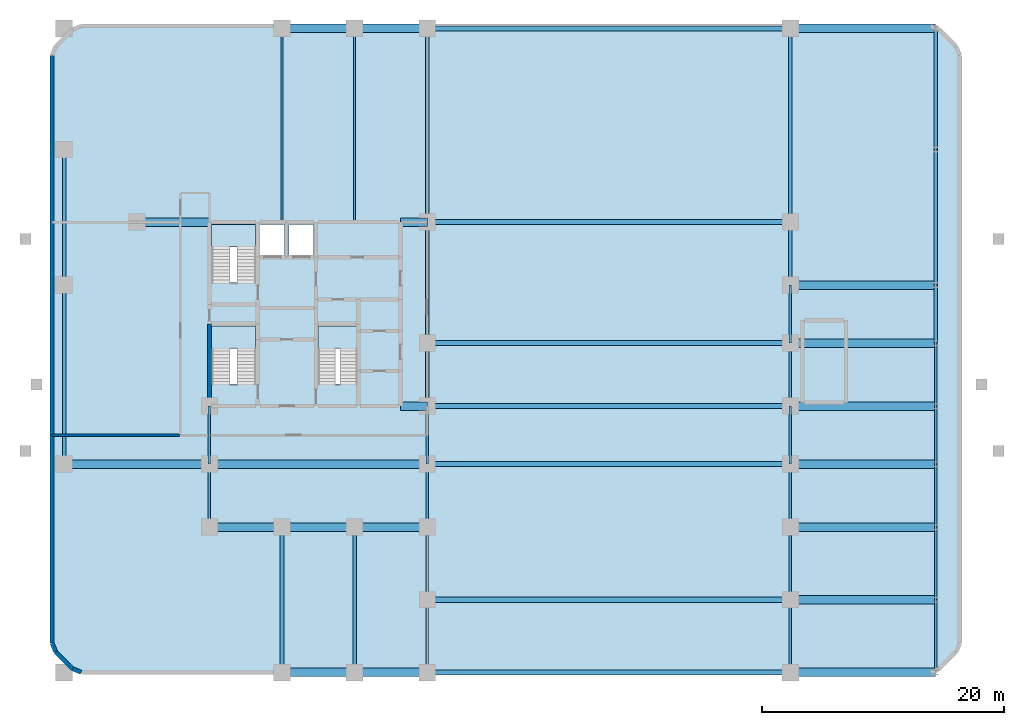
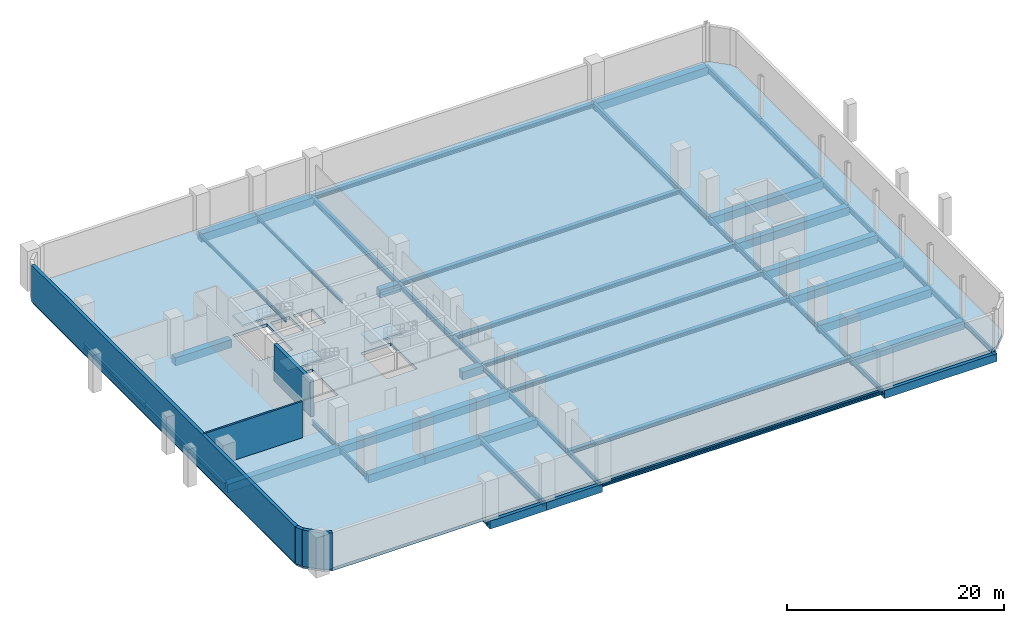
# One storey, part 3 of 7: 58 beams, 6 walls, 4 slabs, 3 elements without a shape of their own.
"""IFC4 building model written with IfcOpenShell, lengths in metres."""

import ifcopenshell
import ifcopenshell.guid

model = None  # the IFC model being written
_history = None  # IfcOwnerHistory: only IFC2X3 demands one
_inside = {}  # id of a spatial element -> (the spatial element, [elements in it])
_under = {}  # id of a project, library or spatial element -> (it, [spatial elements below it])
_declared = {}  # id of a project -> (the project, [libraries it declares])
_typed = {}  # id of a type object -> (the type object, [elements of that type])
_made_of = {}  # id of a material, layer set ... -> (it, [elements and type objects made of it])


def new_model(schema):
    """Start an empty IFC model of exactly this schema.

    Asked for "IFC4X3", IfcOpenShell would pick the latest addendum, in which some entities
    have other attributes; the version numbers below select the first issue.
    IFC2X3 requires an IfcOwnerHistory on every rooted entity: one is made here for all.
    """
    global model, _history
    if schema == "IFC4X3":
        model = ifcopenshell.file(schema_version=(4, 3, 0, 0))
    else:
        model = ifcopenshell.file(schema=schema)
    _inside.clear()
    _under.clear()
    _declared.clear()
    _typed.clear()
    _made_of.clear()
    _history = None
    if model.schema == "IFC2X3":
        org = make("IfcOrganization", Name="unknown")
        user = make(
            "IfcPersonAndOrganization",
            ThePerson=make("IfcPerson", FamilyName="unknown"),
            TheOrganization=org,
        )
        app = make(
            "IfcApplication",
            ApplicationDeveloper=org,
            Version="unknown",
            ApplicationFullName="unknown",
            ApplicationIdentifier="unknown",
        )
        _history = make(
            "IfcOwnerHistory",
            OwningUser=user,
            OwningApplication=app,
            ChangeAction="ADDED",
            CreationDate=0,
        )
    return model


def make(cls, **values):
    """One entity of the class cls with the attributes given. An attribute that is None is left unset."""
    return model.create_entity(
        cls, **{name: value for name, value in values.items() if value is not None}
    )


def rooted(cls, **values):
    """An entity with a GlobalId (a new one), such as an element, a storey or a relation."""
    return make(cls, GlobalId=ifcopenshell.guid.new(), OwnerHistory=_history, **values)


def si_unit(unit_type, name, prefix=None):
    """IfcSIUnit, for example si_unit("LENGTHUNIT", "METRE", prefix="MILLI")."""
    return make("IfcSIUnit", UnitType=unit_type, Prefix=prefix, Name=name)


def assignment(units):
    """IfcUnitAssignment: the units of a project."""
    return None if units is None else make("IfcUnitAssignment", Units=units)


def point(xyz):
    """IfcCartesianPoint."""
    return None if xyz is None else make("IfcCartesianPoint", Coordinates=xyz)


def direction(xyz):
    """IfcDirection."""
    return None if xyz is None else make("IfcDirection", DirectionRatios=xyz)


def frame(location, z_axis=None, x_axis=None):
    """IfcAxis2Placement3D, a coordinate frame: its origin and axes. An axis left out is left unset."""
    return make(
        "IfcAxis2Placement3D",
        Location=point(location),
        Axis=direction(z_axis),
        RefDirection=direction(x_axis),
    )


def frame_2d(location, x_axis=None):
    """IfcAxis2Placement2D, a coordinate frame in the plane: its origin and x axis."""
    return make(
        "IfcAxis2Placement2D", Location=point(location), RefDirection=direction(x_axis)
    )


def origin():
    """The frame at (0, 0, 0) with its axes left unset."""
    return frame((0.0, 0.0, 0.0))


def origin_2d():
    """The frame at (0, 0) in the plane with its x axis left unset."""
    return frame_2d((0.0, 0.0))


def place(relative_to, where):
    """IfcLocalPlacement: puts the frame where relative to a parent placement (None: the world)."""
    return make(
        "IfcLocalPlacement", PlacementRelTo=relative_to, RelativePlacement=where
    )


def context(
    kind, dimensions, precision=None, world=None, true_north=None, identifier=None
):
    """IfcGeometricRepresentationContext, for example the 3D "Model" context."""
    return make(
        "IfcGeometricRepresentationContext",
        ContextIdentifier=identifier,
        ContextType=kind,
        CoordinateSpaceDimension=dimensions,
        Precision=precision,
        WorldCoordinateSystem=world,
        TrueNorth=true_north,
    )


def subcontext(parent, identifier, kind, view, scale=None):
    """IfcGeometricRepresentationSubContext, for example "Body" below "Model"."""
    return make(
        "IfcGeometricRepresentationSubContext",
        ContextIdentifier=identifier,
        ContextType=kind,
        ParentContext=parent,
        TargetScale=scale,
        TargetView=view,
    )


def project(units=None, contexts=None):
    """IfcProject with its units and contexts."""
    return rooted(
        "IfcProject",
        Name="project",
        RepresentationContexts=contexts,
        UnitsInContext=assignment(units),
    )


def spatial(cls, under=None, at=None, **own):
    """A site, building, storey or space (cls), placed at a placement, below another one or the project."""
    s = rooted(cls, ObjectPlacement=at, **own)
    if under is not None:
        _under.setdefault(under.id(), (under, []))[1].append(s)
    return s


def polyline(points):
    """IfcPolyline through the points."""
    return make("IfcPolyline", Points=[point(p) for p in points])


def profile(cls, at=None, kind="AREA", **sizes):
    """A parametric profile (cls). Its sizes go by their IFC names, for example OverallWidth=200.0."""
    return make(cls, ProfileType=kind, Position=at, **sizes)


def rectangle(**sizes):
    """IfcRectangleProfileDef."""
    return profile("IfcRectangleProfileDef", **sizes)


def i_section(**sizes):
    """IfcIShapeProfileDef."""
    return profile("IfcIShapeProfileDef", **sizes)


def outline(outer, holes=None, kind="AREA"):
    """IfcArbitraryClosedProfileDef: a profile drawn as a closed curve; with holes, ...WithVoids."""
    if holes is None:
        return make("IfcArbitraryClosedProfileDef", ProfileType=kind, OuterCurve=outer)
    return make(
        "IfcArbitraryProfileDefWithVoids",
        ProfileType=kind,
        OuterCurve=outer,
        InnerCurves=holes,
    )


def extrude(swept, where, along, depth):
    """IfcExtrudedAreaSolid: the profile swept, set in the frame where, extruded along a direction by depth."""
    return make(
        "IfcExtrudedAreaSolid",
        SweptArea=swept,
        Position=where,
        ExtrudedDirection=direction(along),
        Depth=depth,
    )


def shape(context_of_items, identifier, shape_type, items):
    """IfcShapeRepresentation: the items that make up one representation, for example the "Body"."""
    return make(
        "IfcShapeRepresentation",
        ContextOfItems=context_of_items,
        RepresentationIdentifier=identifier,
        RepresentationType=shape_type,
        Items=items,
    )


def material(Name=None, Category=None):
    """IfcMaterial."""
    return make("IfcMaterial", Name=Name, Category=Category)


def layer(
    of_material, thickness, ventilated=None, Name=None, Category=None, Priority=None
):
    """IfcMaterialLayer: one layer of a wall or slab, of a material (None: an air gap)."""
    return make(
        "IfcMaterialLayer",
        Material=of_material,
        LayerThickness=thickness,
        IsVentilated=ventilated,
        Name=Name,
        Category=Category,
        Priority=Priority,
    )


def layer_set(layers, Name=None):
    """IfcMaterialLayerSet."""
    return make("IfcMaterialLayerSet", MaterialLayers=layers, LayerSetName=Name)


def material_profile(
    of_material, cross_section, Name=None, Category=None, Priority=None
):
    """IfcMaterialProfile: a cross section and its material."""
    return make(
        "IfcMaterialProfile",
        Name=Name,
        Material=of_material,
        Profile=cross_section,
        Priority=Priority,
        Category=Category,
    )


def profile_set(profiles, Name=None, composite=None):
    """IfcMaterialProfileSet."""
    return make(
        "IfcMaterialProfileSet",
        Name=Name,
        MaterialProfiles=profiles,
        CompositeProfile=composite,
    )


def made_of(thing, what):
    """Note that an element or type object is made of a material, layer set ...; save() writes the relation."""
    if what is not None:
        _made_of.setdefault(what.id(), (what, []))[1].append(thing)
    return thing


def type_object(cls, material=None, **own):
    """A type object (cls), such as IfcWallType, which elements share."""
    return made_of(rooted(cls, **own), material)


def element(
    cls,
    number,
    at=None,
    inside=None,
    cuts=None,
    type_object=None,
    material=None,
    context=None,
    identifier="Body",
    shape_type=None,
    held_by="IfcProductDefinitionShape",
    body=None,
    shapes=None,
    **own,
):
    """One element of the class cls, such as IfcWall. Its Tag is "e" and its number.

    at: its placement. inside: the storey or other place that contains it. cuts: it is an
    opening in that element (IfcRelVoidsElement). A single representation is given by context,
    identifier, shape_type and body (its items); several are given by shapes. held_by: the class
    of the entity that holds the representations. save() writes the other relations.
    """
    e = rooted(cls, Tag="e%d" % number, ObjectPlacement=at, **own)
    if body is not None:
        shapes = [shape(context, identifier, shape_type, body)]
    if shapes is not None:
        e.Representation = make(held_by, Representations=shapes)
    if inside is not None:
        _inside.setdefault(inside.id(), (inside, []))[1].append(e)
    if cuts is not None:
        rooted(
            "IfcRelVoidsElement", RelatingBuildingElement=cuts, RelatedOpeningElement=e
        )
    if type_object is not None:
        _typed.setdefault(type_object.id(), (type_object, []))[1].append(e)
    return made_of(e, material)


def aggregate(whole, parts):
    """IfcRelAggregates: a whole, such as a stair, and the parts it consists of."""
    return rooted("IfcRelAggregates", RelatingObject=whole, RelatedObjects=parts)


def save(model, path):
    """Write the relations noted so far, then the file.

    IfcRelAggregates (storeys below a building ...), IfcRelContainedInSpatialStructure (elements
    in a storey), IfcRelDefinesByType, IfcRelAssociatesMaterial and IfcRelDeclares: one each for
    every whole, place, type object, material and project.
    """
    for whole, parts in _under.values():
        aggregate(whole, parts)
    for where, things in _inside.values():
        rooted(
            "IfcRelContainedInSpatialStructure",
            RelatedElements=things,
            RelatingStructure=where,
        )
    for kind, things in _typed.values():
        rooted("IfcRelDefinesByType", RelatedObjects=things, RelatingType=kind)
    for what, things in _made_of.values():
        rooted("IfcRelAssociatesMaterial", RelatedObjects=things, RelatingMaterial=what)
    for by, libraries in _declared.values():
        rooted("IfcRelDeclares", RelatingContext=by, RelatedDefinitions=libraries)
    model.write(path)


model = new_model("IFC4")

# Units and contexts
model_context = context("Model", 3, precision=1e-05, world=origin(), true_north=direction((0.0, 1.0)))
body_context = subcontext(model_context, "Body", "Model", "MODEL_VIEW")
ifc_project = project(units=[si_unit("LENGTHUNIT", "METRE"), si_unit("AREAUNIT", "SQUARE_METRE"), si_unit("VOLUMEUNIT", "CUBIC_METRE"), si_unit("PLANEANGLEUNIT", "RADIAN"), si_unit("MASSUNIT", "GRAM", prefix="KILO")], contexts=[model_context])

# Site, building, storey
site_placement = place(None, origin())
site = spatial("IfcSite", under=ifc_project, at=site_placement, CompositionType="ELEMENT")
building_placement = place(site_placement, origin())
building = spatial("IfcBuilding", under=site, at=building_placement, Name="Keshet Zoharim Tower", CompositionType="ELEMENT")
storey_placement = place(building_placement, frame((0.0, 0.0, -4.5)))
storey = spatial("IfcBuildingStorey", under=building, at=storey_placement, Name="B1", CompositionType="ELEMENT", Elevation=-4.5)

# Beams
ifc_material_1 = material(Name="Steel S355", Category="steel")
ifc_material_profile_1 = material_profile(ifc_material_1, i_section(OverallWidth=0.169921875, OverallDepth=0.360107421875, WebThickness=0.008056640625, FlangeThickness=0.0126953125, FilletRadius=0.01806640625, at=origin_2d()), Name="IPE360")
ifc_profile_set_1 = profile_set([ifc_material_profile_1], Name="Steel S355")
beam_type_1 = type_object("IfcBeamType", Name="BM-JST-IP360", PredefinedType="JOIST", material=ifc_profile_set_1)
for number, where, z_axis, x_axis, name in (
    (1, (21.0, 37.89990234375, -0.52001953125), (0.0, 1.0, 0.0), (-1.0, 0.0, 0.0), "B1 Secondary Floor Joist J-001"),
    (2, (27.0, 37.89990234375, -0.52001953125), (0.0, 1.0, 0.0), (-1.0, 0.0, 0.0), "B1 Secondary Floor Joist J-002"),
):
    element("IfcBeam", number, at=place(storey_placement, frame(where, z_axis=z_axis, x_axis=x_axis)), inside=storey, type_object=beam_type_1, Name=name, PredefinedType="JOIST", context=body_context, shape_type="SweptSolid", body=[
        extrude(i_section(OverallWidth=0.169921875, OverallDepth=0.360107421875, WebThickness=0.008056640625, FlangeThickness=0.0126953125, FilletRadius=0.01806640625, at=origin_2d()), origin(), (0.0, 0.0, 1.0), 16.0),
    ])
ifc_material_profile_2 = material_profile(ifc_material_1, i_section(OverallWidth=0.300048828125, OverallDepth=0.60009765625, WebThickness=0.015380859375, FlangeThickness=0.030029296875, FilletRadius=0.027099609375, at=origin_2d()), Name="HEB600")
ifc_profile_set_2 = profile_set([ifc_material_profile_2], Name="Steel S355")
beam_type_2 = type_object("IfcBeamType", Name="BM-LNG-HB600", PredefinedType="BEAM", material=ifc_profile_set_2)
beam_1_placement = place(storey_placement, frame((3.0, 17.89990234375, -0.639892578125), z_axis=(0.0, 1.0, 0.0), x_axis=(-1.0, 0.0, 0.0)))
element("IfcBeam", 3, at=beam_1_placement, inside=storey, type_object=beam_type_2, Name="B1 Primary Girder Y-001", PredefinedType="BEAM", context=body_context, shape_type="SweptSolid", body=[
    extrude(i_section(OverallWidth=0.300048828125, OverallDepth=0.60009765625, WebThickness=0.015380859375, FlangeThickness=0.030029296875, FilletRadius=0.027099609375, at=origin_2d()), origin(), (0.0, 0.0, 1.0), 14.800048828125),
])
beam_2_placement = place(storey_placement, frame((33.0, 22.699951171875, -0.639892578125), z_axis=(0.0, 1.0, 0.0), x_axis=(-1.0, 0.0, 0.0)))
element("IfcBeam", 4, at=beam_2_placement, inside=storey, type_object=beam_type_2, Name="B1 Primary Girder Y-011", PredefinedType="BEAM", context=body_context, shape_type="SweptSolid", body=[
    extrude(i_section(OverallWidth=0.300048828125, OverallDepth=0.60009765625, WebThickness=0.015380859375, FlangeThickness=0.030029296875, FilletRadius=0.027099609375, at=origin_2d()), origin(), (0.0, 0.0, 1.0), 5.199951171875),
])
beam_3_placement = place(storey_placement, frame((33.0, 37.89990234375, -0.639892578125), z_axis=(0.0, 1.0, 0.0), x_axis=(-1.0, 0.0, 0.0)))
element("IfcBeam", 5, at=beam_3_placement, inside=storey, type_object=beam_type_2, Name="B1 Primary Girder Y-013", PredefinedType="BEAM", context=body_context, shape_type="SweptSolid", body=[
    extrude(i_section(OverallWidth=0.300048828125, OverallDepth=0.60009765625, WebThickness=0.015380859375, FlangeThickness=0.030029296875, FilletRadius=0.027099609375, at=origin_2d()), origin(), (0.0, 0.0, 1.0), 16.0),
])
beam_4_placement = place(storey_placement, frame((63.0, 32.699951171875, -0.639892578125), z_axis=(0.0, 1.0, 0.0), x_axis=(-1.0, 0.0, 0.0)))
element("IfcBeam", 6, at=beam_4_placement, inside=storey, type_object=beam_type_2, Name="B1 Primary Girder Y-020", PredefinedType="BEAM", context=body_context, shape_type="SweptSolid", body=[
    extrude(i_section(OverallWidth=0.300048828125, OverallDepth=0.60009765625, WebThickness=0.015380859375, FlangeThickness=0.030029296875, FilletRadius=0.027099609375, at=origin_2d()), origin(), (0.0, 0.0, 1.0), 5.199951171875),
])
beam_5_placement = place(storey_placement, frame((63.0, 37.89990234375, -0.639892578125), z_axis=(0.0, 1.0, 0.0), x_axis=(-1.0, 0.0, 0.0)))
element("IfcBeam", 7, at=beam_5_placement, inside=storey, type_object=beam_type_2, Name="B1 Primary Girder Y-021", PredefinedType="BEAM", context=body_context, shape_type="SweptSolid", body=[
    extrude(i_section(OverallWidth=0.300048828125, OverallDepth=0.60009765625, WebThickness=0.015380859375, FlangeThickness=0.030029296875, FilletRadius=0.027099609375, at=origin_2d()), origin(), (0.0, 0.0, 1.0), 16.0),
])
beam_6_placement = place(storey_placement, frame((75.0, 27.89990234375, -0.639892578125), z_axis=(0.0, 1.0, 0.0), x_axis=(-1.0, 0.0, 0.0)))
element("IfcBeam", 8, at=beam_6_placement, inside=storey, type_object=beam_type_2, Name="B1 Primary Girder Y-027", PredefinedType="BEAM", context=body_context, shape_type="SweptSolid", body=[
    extrude(i_section(OverallWidth=0.300048828125, OverallDepth=0.60009765625, WebThickness=0.015380859375, FlangeThickness=0.030029296875, FilletRadius=0.027099609375, at=origin_2d()), origin(), (0.0, 0.0, 1.0), 4.800048828125),
])
ifc_material_2 = material(Name="Concrete C60/75", Category="concrete")
ifc_material_profile_3 = material_profile(ifc_material_2, rectangle(XDim=0.699951171875, YDim=0.89990234375, at=origin_2d()), Name="RC900x700")
ifc_profile_set_3 = profile_set([ifc_material_profile_3], Name="Concrete C60/75")
beam_type_3 = type_object("IfcBeamType", Name="BM-LNG-RC900", PredefinedType="T_BEAM", material=ifc_profile_set_3)
for number, where, z_axis, x_axis, name in (
    (9, (63.0, 0.699951171875, -0.7900390625), (1.0, 0.0, 0.0), (0.0, 1.0, 0.0), "B1 Primary Girder X-003"),
    (10, (63.0, 6.699951171875, -0.7900390625), (1.0, 0.0, 0.0), (0.0, 1.0, 0.0), "B1 Primary Girder X-004"),
    (11, (63.0, 12.699951171875, -0.7900390625), (1.0, 0.0, 0.0), (0.0, 1.0, 0.0), "B1 Primary Girder X-008"),
    (12, (3.0, 17.89990234375, -0.7900390625), (1.0, 0.0, 0.0), (0.0, 1.0, 0.0), "B1 Primary Girder X-009"),
):
    element("IfcBeam", number, at=place(storey_placement, frame(where, z_axis=z_axis, x_axis=x_axis)), inside=storey, type_object=beam_type_3, Name=name, PredefinedType="T_BEAM", context=body_context, shape_type="SweptSolid", body=[
        extrude(rectangle(XDim=0.699951171875, YDim=0.89990234375, at=origin_2d()), origin(), (0.0, 0.0, 1.0), 12.0),
    ])
beam_7_placement = place(storey_placement, frame((15.0, 17.89990234375, -0.7900390625), z_axis=(1.0, 0.0, 0.0), x_axis=(0.0, 1.0, 0.0)))
element("IfcBeam", 13, at=beam_7_placement, inside=storey, type_object=beam_type_3, Name="B1 Primary Girder X-010", PredefinedType="T_BEAM", context=body_context, shape_type="SweptSolid", body=[
    extrude(rectangle(XDim=0.699951171875, YDim=0.89990234375, at=origin_2d()), origin(), (0.0, 0.0, 1.0), 18.0),
])
for number, where, z_axis, x_axis, name in (
    (14, (63.0, 17.89990234375, -0.7900390625), (1.0, 0.0, 0.0), (0.0, 1.0, 0.0), "B1 Primary Girder X-011"),
    (15, (63.0, 22.699951171875, -0.7900390625), (1.0, 0.0, 0.0), (0.0, 1.0, 0.0), "B1 Primary Girder X-013"),
    (16, (63.0, 27.89990234375, -0.7900390625), (1.0, 0.0, 0.0), (0.0, 1.0, 0.0), "B1 Primary Girder X-014"),
    (17, (63.0, 32.699951171875, -0.7900390625), (1.0, 0.0, 0.0), (0.0, 1.0, 0.0), "B1 Primary Girder X-015"),
    (18, (63.0, 53.89990234375, -0.7900390625), (1.0, 0.0, 0.0), (0.0, 1.0, 0.0), "B1 Primary Girder X-020"),
):
    element("IfcBeam", number, at=place(storey_placement, frame(where, z_axis=z_axis, x_axis=x_axis)), inside=storey, type_object=beam_type_3, Name=name, PredefinedType="T_BEAM", context=body_context, shape_type="SweptSolid", body=[
        extrude(rectangle(XDim=0.699951171875, YDim=0.89990234375, at=origin_2d()), origin(), (0.0, 0.0, 1.0), 12.0),
    ])
ifc_material_profile_4 = material_profile(ifc_material_1, i_section(OverallWidth=0.300048828125, OverallDepth=0.60009765625, WebThickness=0.015380859375, FlangeThickness=0.030029296875, FilletRadius=0.027099609375, at=origin_2d()), Name="HEB600")
ifc_profile_set_4 = profile_set([ifc_material_profile_4], Name="Steel S355")
beam_type_4 = type_object("IfcBeamType", Name="BM-MED-HB600", PredefinedType="BEAM", material=ifc_profile_set_4)
beam_8_placement = place(storey_placement, frame((3.0, 32.699951171875, -0.639892578125), z_axis=(0.0, 1.0, 0.0), x_axis=(-1.0, 0.0, 0.0)))
element("IfcBeam", 19, at=beam_8_placement, inside=storey, type_object=beam_type_4, Name="B1 Primary Girder Y-002", PredefinedType="BEAM", context=body_context, shape_type="SweptSolid", body=[
    extrude(i_section(OverallWidth=0.300048828125, OverallDepth=0.60009765625, WebThickness=0.015380859375, FlangeThickness=0.030029296875, FilletRadius=0.027099609375, at=origin_2d()), origin(), (0.0, 0.0, 1.0), 11.199951171875),
])
for number, where, z_axis, x_axis, name in (
    (20, (21.0, 0.699951171875, -0.639892578125), (0.0, 1.0, 0.0), (-1.0, 0.0, 0.0), "B1 Primary Girder Y-005"),
    (21, (27.0, 0.699951171875, -0.639892578125), (0.0, 1.0, 0.0), (-1.0, 0.0, 0.0), "B1 Primary Girder Y-006"),
):
    element("IfcBeam", number, at=place(storey_placement, frame(where, z_axis=z_axis, x_axis=x_axis)), inside=storey, type_object=beam_type_4, Name=name, PredefinedType="BEAM", context=body_context, shape_type="SweptSolid", body=[
        extrude(i_section(OverallWidth=0.300048828125, OverallDepth=0.60009765625, WebThickness=0.015380859375, FlangeThickness=0.030029296875, FilletRadius=0.027099609375, at=origin_2d()), origin(), (0.0, 0.0, 1.0), 12.0),
    ])
beam_9_placement = place(storey_placement, frame((33.0, 27.89990234375, -0.639892578125), z_axis=(0.0, 1.0, 0.0), x_axis=(-1.0, 0.0, 0.0)))
element("IfcBeam", 22, at=beam_9_placement, inside=storey, type_object=beam_type_4, Name="B1 Primary Girder Y-012", PredefinedType="BEAM", context=body_context, shape_type="SweptSolid", body=[
    extrude(i_section(OverallWidth=0.300048828125, OverallDepth=0.60009765625, WebThickness=0.015380859375, FlangeThickness=0.030029296875, FilletRadius=0.027099609375, at=origin_2d()), origin(), (0.0, 0.0, 1.0), 10.0),
])
beam_10_placement = place(storey_placement, frame((75.0, 32.699951171875, -0.639892578125), z_axis=(0.0, 1.0, 0.0), x_axis=(-1.0, 0.0, 0.0)))
element("IfcBeam", 23, at=beam_10_placement, inside=storey, type_object=beam_type_4, Name="B1 Primary Girder Y-028", PredefinedType="BEAM", context=body_context, shape_type="SweptSolid", body=[
    extrude(i_section(OverallWidth=0.300048828125, OverallDepth=0.60009765625, WebThickness=0.015380859375, FlangeThickness=0.030029296875, FilletRadius=0.027099609375, at=origin_2d()), origin(), (0.0, 0.0, 1.0), 11.199951171875),
])
beam_11_placement = place(storey_placement, frame((75.0, 43.89990234375, -0.639892578125), z_axis=(0.0, 1.0, 0.0), x_axis=(-1.0, 0.0, 0.0)))
element("IfcBeam", 24, at=beam_11_placement, inside=storey, type_object=beam_type_4, Name="B1 Primary Girder Y-029", PredefinedType="BEAM", context=body_context, shape_type="SweptSolid", body=[
    extrude(i_section(OverallWidth=0.300048828125, OverallDepth=0.60009765625, WebThickness=0.015380859375, FlangeThickness=0.030029296875, FilletRadius=0.027099609375, at=origin_2d()), origin(), (0.0, 0.0, 1.0), 10.0),
])
ifc_material_profile_5 = material_profile(ifc_material_1, i_section(OverallWidth=0.2099609375, OverallDepth=0.550048828125, WebThickness=0.010986328125, FlangeThickness=0.01708984375, FilletRadius=0.02392578125, at=origin_2d()), Name="IPE550")
ifc_profile_set_5 = profile_set([ifc_material_profile_5], Name="Steel S355")
beam_type_5 = type_object("IfcBeamType", Name="BM-PRI-IP550", PredefinedType="BEAM", material=ifc_profile_set_5)
beam_12_placement = place(storey_placement, frame((15.0, 12.699951171875, -0.614990234375), z_axis=(0.0, 1.0, 0.0), x_axis=(-1.0, 0.0, 0.0)))
element("IfcBeam", 25, at=beam_12_placement, inside=storey, type_object=beam_type_5, Name="B1 Primary Girder Y-003", PredefinedType="BEAM", context=body_context, shape_type="SweptSolid", body=[
    extrude(i_section(OverallWidth=0.2099609375, OverallDepth=0.550048828125, WebThickness=0.010986328125, FlangeThickness=0.01708984375, FilletRadius=0.02392578125, at=origin_2d()), origin(), (0.0, 0.0, 1.0), 5.199951171875),
])
beam_13_placement = place(storey_placement, frame((15.0, 17.89990234375, -0.614990234375), z_axis=(0.0, 1.0, 0.0), x_axis=(-1.0, 0.0, 0.0)))
element("IfcBeam", 26, at=beam_13_placement, inside=storey, type_object=beam_type_5, Name="B1 Primary Girder Y-004", PredefinedType="BEAM", context=body_context, shape_type="SweptSolid", body=[
    extrude(i_section(OverallWidth=0.2099609375, OverallDepth=0.550048828125, WebThickness=0.010986328125, FlangeThickness=0.01708984375, FilletRadius=0.02392578125, at=origin_2d()), origin(), (0.0, 0.0, 1.0), 4.800048828125),
])
for number, where, z_axis, x_axis, name in (
    (27, (33.0, 0.699951171875, -0.614990234375), (0.0, 1.0, 0.0), (-1.0, 0.0, 0.0), "B1 Primary Girder Y-007"),
    (28, (33.0, 6.699951171875, -0.614990234375), (0.0, 1.0, 0.0), (-1.0, 0.0, 0.0), "B1 Primary Girder Y-008"),
):
    element("IfcBeam", number, at=place(storey_placement, frame(where, z_axis=z_axis, x_axis=x_axis)), inside=storey, type_object=beam_type_5, Name=name, PredefinedType="BEAM", context=body_context, shape_type="SweptSolid", body=[
        extrude(i_section(OverallWidth=0.2099609375, OverallDepth=0.550048828125, WebThickness=0.010986328125, FlangeThickness=0.01708984375, FilletRadius=0.02392578125, at=origin_2d()), origin(), (0.0, 0.0, 1.0), 6.0),
    ])
beam_14_placement = place(storey_placement, frame((33.0, 12.699951171875, -0.614990234375), z_axis=(0.0, 1.0, 0.0), x_axis=(-1.0, 0.0, 0.0)))
element("IfcBeam", 29, at=beam_14_placement, inside=storey, type_object=beam_type_5, Name="B1 Primary Girder Y-009", PredefinedType="BEAM", context=body_context, shape_type="SweptSolid", body=[
    extrude(i_section(OverallWidth=0.2099609375, OverallDepth=0.550048828125, WebThickness=0.010986328125, FlangeThickness=0.01708984375, FilletRadius=0.02392578125, at=origin_2d()), origin(), (0.0, 0.0, 1.0), 5.199951171875),
])
beam_15_placement = place(storey_placement, frame((33.0, 17.89990234375, -0.614990234375), z_axis=(0.0, 1.0, 0.0), x_axis=(-1.0, 0.0, 0.0)))
element("IfcBeam", 30, at=beam_15_placement, inside=storey, type_object=beam_type_5, Name="B1 Primary Girder Y-010", PredefinedType="BEAM", context=body_context, shape_type="SweptSolid", body=[
    extrude(i_section(OverallWidth=0.2099609375, OverallDepth=0.550048828125, WebThickness=0.010986328125, FlangeThickness=0.01708984375, FilletRadius=0.02392578125, at=origin_2d()), origin(), (0.0, 0.0, 1.0), 4.800048828125),
])
for number, where, z_axis, x_axis, name in (
    (31, (63.0, 0.699951171875, -0.614990234375), (0.0, 1.0, 0.0), (-1.0, 0.0, 0.0), "B1 Primary Girder Y-014"),
    (32, (63.0, 6.699951171875, -0.614990234375), (0.0, 1.0, 0.0), (-1.0, 0.0, 0.0), "B1 Primary Girder Y-015"),
):
    element("IfcBeam", number, at=place(storey_placement, frame(where, z_axis=z_axis, x_axis=x_axis)), inside=storey, type_object=beam_type_5, Name=name, PredefinedType="BEAM", context=body_context, shape_type="SweptSolid", body=[
        extrude(i_section(OverallWidth=0.2099609375, OverallDepth=0.550048828125, WebThickness=0.010986328125, FlangeThickness=0.01708984375, FilletRadius=0.02392578125, at=origin_2d()), origin(), (0.0, 0.0, 1.0), 6.0),
    ])
beam_16_placement = place(storey_placement, frame((63.0, 12.699951171875, -0.614990234375), z_axis=(0.0, 1.0, 0.0), x_axis=(-1.0, 0.0, 0.0)))
element("IfcBeam", 33, at=beam_16_placement, inside=storey, type_object=beam_type_5, Name="B1 Primary Girder Y-016", PredefinedType="BEAM", context=body_context, shape_type="SweptSolid", body=[
    extrude(i_section(OverallWidth=0.2099609375, OverallDepth=0.550048828125, WebThickness=0.010986328125, FlangeThickness=0.01708984375, FilletRadius=0.02392578125, at=origin_2d()), origin(), (0.0, 0.0, 1.0), 5.199951171875),
])
beam_17_placement = place(storey_placement, frame((63.0, 17.89990234375, -0.614990234375), z_axis=(0.0, 1.0, 0.0), x_axis=(-1.0, 0.0, 0.0)))
element("IfcBeam", 34, at=beam_17_placement, inside=storey, type_object=beam_type_5, Name="B1 Primary Girder Y-017", PredefinedType="BEAM", context=body_context, shape_type="SweptSolid", body=[
    extrude(i_section(OverallWidth=0.2099609375, OverallDepth=0.550048828125, WebThickness=0.010986328125, FlangeThickness=0.01708984375, FilletRadius=0.02392578125, at=origin_2d()), origin(), (0.0, 0.0, 1.0), 4.800048828125),
])
beam_18_placement = place(storey_placement, frame((63.0, 22.699951171875, -0.614990234375), z_axis=(0.0, 1.0, 0.0), x_axis=(-1.0, 0.0, 0.0)))
element("IfcBeam", 35, at=beam_18_placement, inside=storey, type_object=beam_type_5, Name="B1 Primary Girder Y-018", PredefinedType="BEAM", context=body_context, shape_type="SweptSolid", body=[
    extrude(i_section(OverallWidth=0.2099609375, OverallDepth=0.550048828125, WebThickness=0.010986328125, FlangeThickness=0.01708984375, FilletRadius=0.02392578125, at=origin_2d()), origin(), (0.0, 0.0, 1.0), 5.199951171875),
])
beam_19_placement = place(storey_placement, frame((63.0, 27.89990234375, -0.614990234375), z_axis=(0.0, 1.0, 0.0), x_axis=(-1.0, 0.0, 0.0)))
element("IfcBeam", 36, at=beam_19_placement, inside=storey, type_object=beam_type_5, Name="B1 Primary Girder Y-019", PredefinedType="BEAM", context=body_context, shape_type="SweptSolid", body=[
    extrude(i_section(OverallWidth=0.2099609375, OverallDepth=0.550048828125, WebThickness=0.010986328125, FlangeThickness=0.01708984375, FilletRadius=0.02392578125, at=origin_2d()), origin(), (0.0, 0.0, 1.0), 4.800048828125),
])
for number, where, z_axis, x_axis, name in (
    (37, (75.0, 0.699951171875, -0.614990234375), (0.0, 1.0, 0.0), (-1.0, 0.0, 0.0), "B1 Primary Girder Y-022"),
    (38, (75.0, 6.699951171875, -0.614990234375), (0.0, 1.0, 0.0), (-1.0, 0.0, 0.0), "B1 Primary Girder Y-023"),
):
    element("IfcBeam", number, at=place(storey_placement, frame(where, z_axis=z_axis, x_axis=x_axis)), inside=storey, type_object=beam_type_5, Name=name, PredefinedType="BEAM", context=body_context, shape_type="SweptSolid", body=[
        extrude(i_section(OverallWidth=0.2099609375, OverallDepth=0.550048828125, WebThickness=0.010986328125, FlangeThickness=0.01708984375, FilletRadius=0.02392578125, at=origin_2d()), origin(), (0.0, 0.0, 1.0), 6.0),
    ])
beam_20_placement = place(storey_placement, frame((75.0, 12.699951171875, -0.614990234375), z_axis=(0.0, 1.0, 0.0), x_axis=(-1.0, 0.0, 0.0)))
element("IfcBeam", 39, at=beam_20_placement, inside=storey, type_object=beam_type_5, Name="B1 Primary Girder Y-024", PredefinedType="BEAM", context=body_context, shape_type="SweptSolid", body=[
    extrude(i_section(OverallWidth=0.2099609375, OverallDepth=0.550048828125, WebThickness=0.010986328125, FlangeThickness=0.01708984375, FilletRadius=0.02392578125, at=origin_2d()), origin(), (0.0, 0.0, 1.0), 5.199951171875),
])
beam_21_placement = place(storey_placement, frame((75.0, 17.89990234375, -0.614990234375), z_axis=(0.0, 1.0, 0.0), x_axis=(-1.0, 0.0, 0.0)))
element("IfcBeam", 40, at=beam_21_placement, inside=storey, type_object=beam_type_5, Name="B1 Primary Girder Y-025", PredefinedType="BEAM", context=body_context, shape_type="SweptSolid", body=[
    extrude(i_section(OverallWidth=0.2099609375, OverallDepth=0.550048828125, WebThickness=0.010986328125, FlangeThickness=0.01708984375, FilletRadius=0.02392578125, at=origin_2d()), origin(), (0.0, 0.0, 1.0), 4.800048828125),
])
beam_22_placement = place(storey_placement, frame((75.0, 22.699951171875, -0.614990234375), z_axis=(0.0, 1.0, 0.0), x_axis=(-1.0, 0.0, 0.0)))
element("IfcBeam", 41, at=beam_22_placement, inside=storey, type_object=beam_type_5, Name="B1 Primary Girder Y-026", PredefinedType="BEAM", context=body_context, shape_type="SweptSolid", body=[
    extrude(i_section(OverallWidth=0.2099609375, OverallDepth=0.550048828125, WebThickness=0.010986328125, FlangeThickness=0.01708984375, FilletRadius=0.02392578125, at=origin_2d()), origin(), (0.0, 0.0, 1.0), 5.199951171875),
])
ifc_material_profile_6 = material_profile(ifc_material_2, rectangle(XDim=0.699951171875, YDim=0.89990234375, at=origin_2d()), Name="RC900x700")
ifc_profile_set_6 = profile_set([ifc_material_profile_6], Name="Concrete C60/75")
beam_type_6 = type_object("IfcBeamType", Name="BM-TBM-900", PredefinedType="T_BEAM", material=ifc_profile_set_6)
for number, where, z_axis, x_axis, name in (
    (42, (21.0, 0.699951171875, -0.7900390625), (1.0, 0.0, 0.0), (0.0, 1.0, 0.0), "B1 Primary Girder X-001"),
    (43, (27.0, 0.699951171875, -0.7900390625), (1.0, 0.0, 0.0), (0.0, 1.0, 0.0), "B1 Primary Girder X-002"),
    (44, (15.0, 12.699951171875, -0.7900390625), (1.0, 0.0, 0.0), (0.0, 1.0, 0.0), "B1 Primary Girder X-005"),
    (45, (21.0, 12.699951171875, -0.7900390625), (1.0, 0.0, 0.0), (0.0, 1.0, 0.0), "B1 Primary Girder X-006"),
    (46, (27.0, 12.699951171875, -0.7900390625), (1.0, 0.0, 0.0), (0.0, 1.0, 0.0), "B1 Primary Girder X-007"),
):
    element("IfcBeam", number, at=place(storey_placement, frame(where, z_axis=z_axis, x_axis=x_axis)), inside=storey, type_object=beam_type_6, Name=name, PredefinedType="T_BEAM", context=body_context, shape_type="SweptSolid", body=[
        extrude(rectangle(XDim=0.699951171875, YDim=0.89990234375, at=origin_2d()), origin(), (0.0, 0.0, 1.0), 6.0),
    ])
beam_23_placement = place(storey_placement, frame((30.800048828125, 22.699951171875, -0.7900390625), z_axis=(1.0, 0.0, 0.0), x_axis=(0.0, 1.0, 0.0)))
element("IfcBeam", 47, at=beam_23_placement, inside=storey, type_object=beam_type_6, Name="B1 Primary Girder X-012", PredefinedType="T_BEAM", context=body_context, shape_type="SweptSolid", body=[
    extrude(rectangle(XDim=0.699951171875, YDim=0.89990234375, at=origin_2d()), origin(), (0.0, 0.0, 1.0), 2.199951171875),
])
beam_24_placement = place(storey_placement, frame((9.0, 37.89990234375, -0.7900390625), z_axis=(1.0, 0.0, 0.0), x_axis=(0.0, 1.0, 0.0)))
element("IfcBeam", 48, at=beam_24_placement, inside=storey, type_object=beam_type_6, Name="B1 Primary Girder X-016", PredefinedType="T_BEAM", context=body_context, shape_type="SweptSolid", body=[
    extrude(rectangle(XDim=0.699951171875, YDim=0.89990234375, at=origin_2d()), origin(), (0.0, 0.0, 1.0), 6.0),
])
beam_25_placement = place(storey_placement, frame((30.800048828125, 37.89990234375, -0.7900390625), z_axis=(1.0, 0.0, 0.0), x_axis=(0.0, 1.0, 0.0)))
element("IfcBeam", 49, at=beam_25_placement, inside=storey, type_object=beam_type_6, Name="B1 Primary Girder X-017", PredefinedType="T_BEAM", context=body_context, shape_type="SweptSolid", body=[
    extrude(rectangle(XDim=0.699951171875, YDim=0.89990234375, at=origin_2d()), origin(), (0.0, 0.0, 1.0), 2.199951171875),
])
for number, where, z_axis, x_axis, name in (
    (50, (21.0, 53.89990234375, -0.7900390625), (1.0, 0.0, 0.0), (0.0, 1.0, 0.0), "B1 Primary Girder X-018"),
    (51, (27.0, 53.89990234375, -0.7900390625), (1.0, 0.0, 0.0), (0.0, 1.0, 0.0), "B1 Primary Girder X-019"),
):
    element("IfcBeam", number, at=place(storey_placement, frame(where, z_axis=z_axis, x_axis=x_axis)), inside=storey, type_object=beam_type_6, Name=name, PredefinedType="T_BEAM", context=body_context, shape_type="SweptSolid", body=[
        extrude(rectangle(XDim=0.699951171875, YDim=0.89990234375, at=origin_2d()), origin(), (0.0, 0.0, 1.0), 6.0),
    ])
ifc_material_profile_7 = material_profile(ifc_material_1, i_section(OverallWidth=0.41796875, OverallDepth=0.455078125, WebThickness=0.0419921875, FlangeThickness=0.068115234375, FilletRadius=0.014892578125, at=origin_2d()), Name="HD400x551")
ifc_profile_set_7 = profile_set([ifc_material_profile_7], Name="Steel S355")
beam_type_7 = type_object("IfcBeamType", Name="BM-TIE-HD551", PredefinedType="BEAM", material=ifc_profile_set_7)
for number, where, z_axis, x_axis, name in (
    (52, (33.0, 0.699951171875, -0.5673828125), (1.0, 0.0, 0.0), (0.0, 1.0, 0.0), "Arch Thrust Tie Beam A 33-63"),
    (53, (33.0, 6.699951171875, -0.5673828125), (1.0, 0.0, 0.0), (0.0, 1.0, 0.0), "Arch Thrust Tie Beam B 33-63"),
    (54, (33.0, 17.89990234375, -0.5673828125), (1.0, 0.0, 0.0), (0.0, 1.0, 0.0), "Arch Thrust Tie Beam D 33-63"),
    (55, (33.0, 22.699951171875, -0.5673828125), (1.0, 0.0, 0.0), (0.0, 1.0, 0.0), "Arch Thrust Tie Beam E 33-63"),
    (56, (33.0, 27.89990234375, -0.5673828125), (1.0, 0.0, 0.0), (0.0, 1.0, 0.0), "Arch Thrust Tie Beam F 33-63"),
    (57, (33.0, 37.89990234375, -0.5673828125), (1.0, 0.0, 0.0), (0.0, 1.0, 0.0), "Arch Thrust Tie Beam H 33-63"),
    (58, (33.0, 53.89990234375, -0.5673828125), (1.0, 0.0, 0.0), (0.0, 1.0, 0.0), "Arch Thrust Tie Beam L 33-63"),
):
    element("IfcBeam", number, at=place(storey_placement, frame(where, z_axis=z_axis, x_axis=x_axis)), inside=storey, type_object=beam_type_7, Name=name, PredefinedType="BEAM", context=body_context, shape_type="SweptSolid", body=[
        extrude(i_section(OverallWidth=0.41796875, OverallDepth=0.455078125, WebThickness=0.0419921875, FlangeThickness=0.068115234375, FilletRadius=0.014892578125, at=origin_2d()), origin(), (0.0, 0.0, 1.0), 30.0),
    ])

# Stair, slab
ifc_material_3 = material(Name="Concrete C50/60", Category="concrete")
stair_type = type_object("IfcStairType", Name="STR-EXIT-135", PredefinedType="HALF_TURN_STAIR", material=ifc_material_3)
stair_1_placement = place(storey_placement, origin())
stair_1 = element("IfcStair", 59, at=stair_1_placement, inside=storey, type_object=stair_type, Name="B1 Enclosed Exit Stair ST-01", PredefinedType="HALF_TURN_STAIR")
ifc_layer_1 = layer(ifc_material_3, 0.199951171875)
ifc_layer_set_1 = layer_set([ifc_layer_1], Name="Concrete C50/60")
slab_type_1 = type_object("IfcSlabType", Name="SLB-LND-200", PredefinedType="LANDING", material=ifc_layer_set_1)
slab_1_placement = place(storey_placement, frame((0.0, 0.0, 2.050048828125)))
slab_1 = element("IfcSlab", 60, at=slab_1_placement, type_object=slab_type_1, Name="ST-01 landing 1", PredefinedType="LANDING", context=body_context, shape_type="SweptSolid", body=[
    extrude(outline(polyline([(15.179931640625, 27.43994140625), (18.820068359375, 27.43994140625), (18.820068359375, 29.320068359375), (15.179931640625, 29.320068359375), (15.179931640625, 27.43994140625)])), origin(), (0.0, 0.0, 1.0), 0.199951171875),
])
aggregate(stair_1, [slab_1])

stair_2_placement = place(storey_placement, origin())
stair_2 = element("IfcStair", 61, at=stair_2_placement, inside=storey, type_object=stair_type, Name="B1 Enclosed Exit Stair ST-02", PredefinedType="HALF_TURN_STAIR")
slab_2_placement = place(storey_placement, frame((0.0, 0.0, 2.050048828125)))
slab_2 = element("IfcSlab", 62, at=slab_2_placement, type_object=slab_type_1, Name="ST-02 landing 1", PredefinedType="LANDING", context=body_context, shape_type="SweptSolid", body=[
    extrude(outline(polyline([(15.179931640625, 35.840087890625), (18.820068359375, 35.840087890625), (18.820068359375, 37.719970703125), (15.179931640625, 37.719970703125), (15.179931640625, 35.840087890625)])), origin(), (0.0, 0.0, 1.0), 0.199951171875),
])
aggregate(stair_2, [slab_2])

stair_3_placement = place(storey_placement, origin())
stair_3 = element("IfcStair", 63, at=stair_3_placement, inside=storey, type_object=stair_type, Name="B1 Enclosed Exit Stair ST-03", PredefinedType="HALF_TURN_STAIR")
slab_3_placement = place(storey_placement, frame((0.0, 0.0, 2.050048828125)))
slab_3 = element("IfcSlab", 64, at=slab_3_placement, type_object=slab_type_1, Name="ST-03 landing 1", PredefinedType="LANDING", context=body_context, shape_type="SweptSolid", body=[
    extrude(outline(polyline([(23.97998046875, 27.43994140625), (27.219970703125, 27.43994140625), (27.219970703125, 29.320068359375), (23.97998046875, 29.320068359375), (23.97998046875, 27.43994140625)])), origin(), (0.0, 0.0, 1.0), 0.199951171875),
])
aggregate(stair_3, [slab_3])

# Slab
ifc_layer_2 = layer(ifc_material_3, 0.340087890625)
ifc_layer_set_2 = layer_set([ifc_layer_2], Name="Concrete C50/60")
slab_type_2 = type_object("IfcSlabType", Name="SLB-SUB-300", PredefinedType="FLOOR", material=ifc_layer_set_2)
slab_4_placement = place(storey_placement, frame((0.0, 0.0, -0.340087890625)))
element("IfcSlab", 65, at=slab_4_placement, inside=storey, type_object=slab_type_2, Name="B1 Structural Floor Slab 1", PredefinedType="FLOOR", context=body_context, shape_type="SweptSolid", body=[
    extrude(outline(polyline([(2.29296875, 2.406982421875), (2.0, 3.114013671875), (2.0, 51.68603515625), (2.29296875, 52.39306640625), (3.70703125, 53.806884765625), (4.4140625, 54.10009765625), (74.5859375, 54.10009765625), (75.29296875, 53.806884765625), (76.70703125, 52.39306640625), (77.0, 51.68603515625), (77.0, 3.114013671875), (76.70703125, 2.406982421875), (75.29296875, 0.992919921875), (74.5859375, 0.699951171875), (4.4140625, 0.699951171875), (3.70703125, 0.992919921875), (2.29296875, 2.406982421875)]), holes=[polyline([(15.179931640625, 24.52001953125), (18.820068359375, 24.52001953125), (18.820068359375, 29.320068359375), (15.179931640625, 29.320068359375), (15.179931640625, 24.52001953125)]), polyline([(15.179931640625, 32.919921875), (18.820068359375, 32.919921875), (18.820068359375, 37.719970703125), (15.179931640625, 37.719970703125), (15.179931640625, 32.919921875)]), polyline([(23.97998046875, 24.52001953125), (27.219970703125, 24.52001953125), (27.219970703125, 29.320068359375), (23.97998046875, 29.320068359375), (23.97998046875, 24.52001953125)]), polyline([(19.179931640625, 35.14990234375), (21.219970703125, 35.14990234375), (21.219970703125, 37.719970703125), (19.179931640625, 37.719970703125), (19.179931640625, 35.14990234375)]), polyline([(21.580078125, 35.14990234375), (23.6201171875, 35.14990234375), (23.6201171875, 37.719970703125), (21.580078125, 37.719970703125), (21.580078125, 35.14990234375)])]), origin(), (0.0, 0.0, 1.0), 0.340087890625),
])

# Walls
ifc_layer_3 = layer(ifc_material_2, 0.35009765625)
ifc_layer_set_3 = layer_set([ifc_layer_3], Name="Concrete C60/75")
wall_type_1 = type_object("IfcWallType", Name="WL-CORE-350", PredefinedType="SHEAR", material=ifc_layer_set_3)
wall_1_placement = place(storey_placement, frame((15.0, 22.699951171875, 0.0), z_axis=(0.0, 0.0, 1.0), x_axis=(0.0, 1.0, 0.0)))
element("IfcWall", 66, at=wall_1_placement, inside=storey, type_object=wall_type_1, Name="B1 Core Shear Wall 003", PredefinedType="SHEAR", context=body_context, shape_type="SweptSolid", body=[
    extrude(rectangle(XDim=6.800048828125, YDim=0.35009765625, at=frame_2d((3.39990234375, 0.0))), origin(), (0.0, 0.0, 1.0), 4.10009765625),
])
ifc_layer_4 = layer(ifc_material_3, 0.199951171875)
ifc_layer_set_4 = layer_set([ifc_layer_4], Name="Concrete C50/60")
wall_type_2 = type_object("IfcWallType", Name="WL-FIRE-200", PredefinedType="STANDARD", material=ifc_layer_set_4)
wall_2_placement = place(storey_placement, frame((2.010009765625, 20.300048828125, 0.0), z_axis=(0.0, 0.0, 1.0), x_axis=(1.0, 0.0, 0.0)))
element("IfcWall", 67, at=wall_2_placement, inside=storey, type_object=wall_type_2, Name="B1 Interior Wall 032", PredefinedType="STANDARD", context=body_context, shape_type="SweptSolid", body=[
    extrude(rectangle(XDim=10.5048828125, YDim=0.199951171875, at=frame_2d((5.25244140625, 0.0))), origin(), (0.0, 0.0, 1.0), 4.10009765625),
])
ifc_layer_5 = layer(ifc_material_3, 0.35009765625)
ifc_layer_set_5 = layer_set([ifc_layer_5], Name="Concrete C50/60")
wall_type_3 = type_object("IfcWallType", Name="WL-RET-350", PredefinedType="USERDEFINED", material=ifc_layer_set_5)
wall_3_placement = place(storey_placement, frame((2.29296875, 2.406982421875, 0.0), z_axis=(0.0, 0.0, 1.0), x_axis=(-0.382802560388, 0.92383017907, 0.0)))
element("IfcWall", 68, at=wall_3_placement, inside=storey, type_object=wall_type_3, Name="B1 Perimeter Retaining Wall 01", ObjectType="RETAINING", PredefinedType="USERDEFINED", context=body_context, shape_type="SweptSolid", body=[
    extrude(rectangle(XDim=0.765380859375, YDim=0.35009765625, at=frame_2d((0.3828125, 0.0))), origin(), (0.0, 0.0, 1.0), 4.10009765625),
])
wall_4_placement = place(storey_placement, frame((2.0, 3.114013671875, 0.0), z_axis=(0.0, 0.0, 1.0), x_axis=(0.0, 1.0, 0.0)))
element("IfcWall", 69, at=wall_4_placement, inside=storey, type_object=wall_type_3, Name="B1 Perimeter Retaining Wall 02", ObjectType="RETAINING", PredefinedType="USERDEFINED", context=body_context, shape_type="SweptSolid", body=[
    extrude(rectangle(XDim=48.572021484375, YDim=0.35009765625, at=frame_2d((24.2861328125, 0.0))), origin(), (0.0, 0.0, 1.0), 4.10009765625),
])
wall_5_placement = place(storey_placement, frame((4.4140625, 0.699951171875, 0.0), z_axis=(0.0, 0.0, 1.0), x_axis=(-0.92383017907, 0.382802560388, 0.0)))
element("IfcWall", 70, at=wall_5_placement, inside=storey, type_object=wall_type_3, Name="B1 Perimeter Retaining Wall 15", ObjectType="RETAINING", PredefinedType="USERDEFINED", context=body_context, shape_type="SweptSolid", body=[
    extrude(rectangle(XDim=0.765380859375, YDim=0.35009765625, at=frame_2d((0.3828125, 0.0))), origin(), (0.0, 0.0, 1.0), 4.10009765625),
])
wall_6_placement = place(storey_placement, frame((3.70703125, 0.992919921875, 0.0), z_axis=(0.0, 0.0, 1.0), x_axis=(-0.707106781187, 0.707106781187, 0.0)))
element("IfcWall", 71, at=wall_6_placement, inside=storey, type_object=wall_type_3, Name="B1 Perimeter Retaining Wall 16", ObjectType="RETAINING", PredefinedType="USERDEFINED", context=body_context, shape_type="SweptSolid", body=[
    extrude(rectangle(XDim=1.999755859375, YDim=0.35009765625, at=frame_2d((1.0, 0.0))), origin(), (0.0, 0.0, 1.0), 4.10009765625),
])

save(model, "model.ifc")
